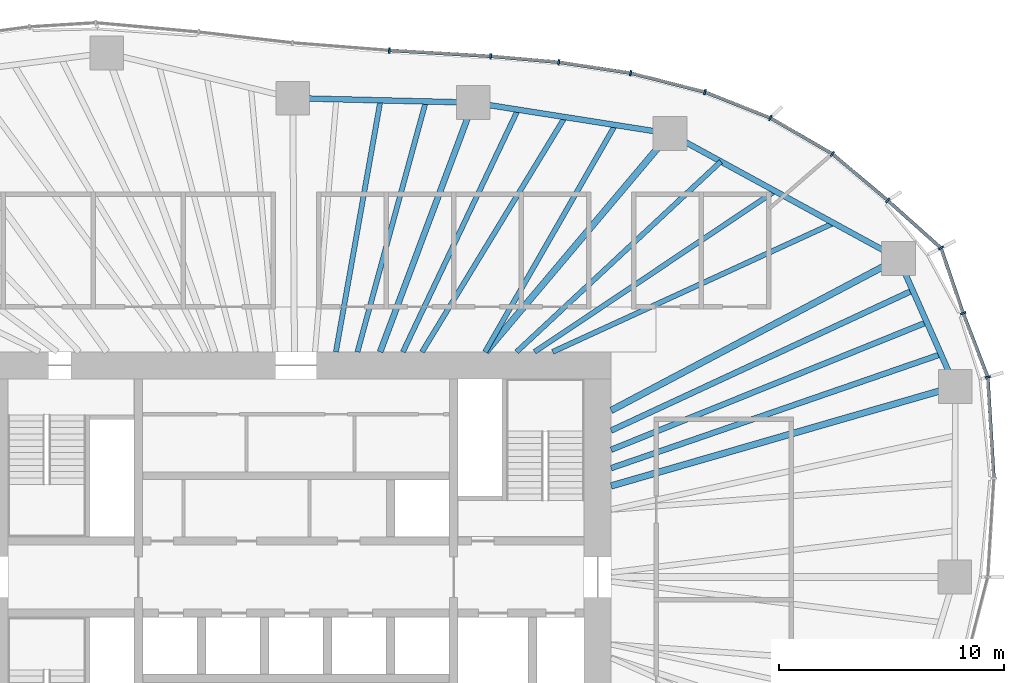
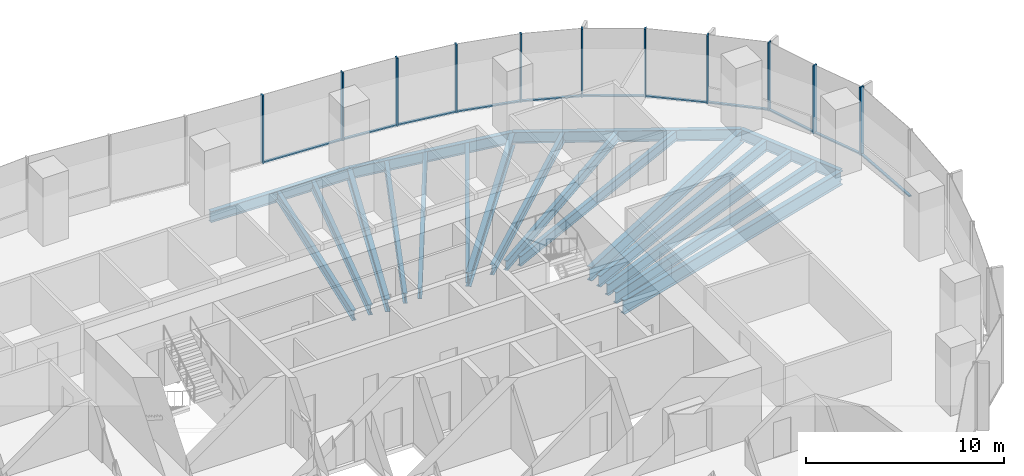
# One storey, part 6 of 18: 22 members, 19 beams, 5 elements without a shape of their own.
"""IFC4 building model written with IfcOpenShell, lengths in metres."""

from ifc_helpers import new_model, si_unit, direction, frame, origin, origin_2d, place, context, subcontext, project, spatial, rectangle, i_section, extrude, material, material_profile, profile_set, type_object, element, aggregate, save


model = new_model("IFC4")

# Units and contexts
model_context = context("Model", 3, precision=1e-05, world=origin(), true_north=direction((0.0, 1.0)))
body_context = subcontext(model_context, "Body", "Model", "MODEL_VIEW")
ifc_project = project(units=[si_unit("LENGTHUNIT", "METRE"), si_unit("AREAUNIT", "SQUARE_METRE"), si_unit("VOLUMEUNIT", "CUBIC_METRE"), si_unit("PLANEANGLEUNIT", "RADIAN"), si_unit("MASSUNIT", "GRAM", prefix="KILO")], contexts=[model_context])

# Site, building, storey
site_placement = place(None, origin())
site = spatial("IfcSite", under=ifc_project, at=site_placement, CompositionType="ELEMENT")
building_placement = place(site_placement, origin())
building = spatial("IfcBuilding", under=site, at=building_placement, Name="Ghaith Harvest Tower", CompositionType="ELEMENT")
storey_placement = place(building_placement, frame((0.0, 0.0, 142.800048828125)))
storey = spatial("IfcBuildingStorey", under=building, at=storey_placement, Name="L30", CompositionType="ELEMENT", Elevation=142.800048828125)

# Curtain wall, members
ifc_material_1 = material(Name="Black anodised aluminium and fritted glass", Category="aluminium")
curtain_wall_type = type_object("IfcCurtainWallType", Name="CW-L CURTAIN WALL", PredefinedType="NOTDEFINED", material=ifc_material_1)
curtain_wall_1_placement = place(storey_placement, origin())
curtain_wall_1 = element("IfcCurtainWall", 1, at=curtain_wall_1_placement, inside=storey, type_object=curtain_wall_type, Name="Curtain wall CW-L bay 02 L30", PredefinedType="NOTDEFINED")
ifc_material_2 = material(Name="Aluminium, black anodised", Category="aluminium")
ifc_material_profile_1 = material_profile(ifc_material_2, rectangle(XDim=0.080078125, YDim=0.239990234375, at=origin_2d()), Name="CW-L MULLION 80x240")
ifc_profile_set_1 = profile_set([ifc_material_profile_1], Name="Aluminium, black anodised")
member_type_1 = type_object("IfcMemberType", Name="CW-L MULLION 80x240", PredefinedType="MULLION", material=ifc_profile_set_1)
member_1_placement = place(storey_placement, frame((30.727294921875, 8.880859375, 0.0), z_axis=(0.0, 0.0, 1.0), x_axis=(-0.183070248196, 0.983099834313, 0.0)))
member_1 = element("IfcMember", 2, at=member_1_placement, type_object=member_type_1, Name="CW-L mullion 1 bay 02 L30", PredefinedType="MULLION", context=body_context, shape_type="SweptSolid", body=[
    extrude(rectangle(XDim=0.080078125, YDim=0.239990234375, at=origin_2d()), origin(), (0.0, 0.0, 1.0), 4.199951171875),
])
member_2_placement = place(storey_placement, frame((29.634521484375, 11.7158203125, 0.0), z_axis=(0.0, 0.0, 1.0), x_axis=(-0.340771198528, 0.940146260033, 0.0)))
member_2 = element("IfcMember", 3, at=member_2_placement, type_object=member_type_1, Name="CW-L mullion 2 bay 02 L30", PredefinedType="MULLION", context=body_context, shape_type="SweptSolid", body=[
    extrude(rectangle(XDim=0.080078125, YDim=0.239990234375, at=origin_2d()), origin(), (0.0, 0.0, 1.0), 4.199951171875),
])
member_3_placement = place(storey_placement, frame((28.64990234375, 14.61181640625, 0.0), z_axis=(0.0, 0.0, 1.0), x_axis=(-0.556324287652, 0.830965274225, 0.0)))
member_3 = element("IfcMember", 4, at=member_3_placement, type_object=member_type_1, Name="CW-L mullion 3 bay 02 L30", PredefinedType="MULLION", context=body_context, shape_type="SweptSolid", body=[
    extrude(rectangle(XDim=0.080078125, YDim=0.239990234375, at=origin_2d()), origin(), (0.0, 0.0, 1.0), 4.199951171875),
])

curtain_wall_2_placement = place(storey_placement, origin())
curtain_wall_2 = element("IfcCurtainWall", 5, at=curtain_wall_2_placement, inside=storey, type_object=curtain_wall_type, Name="Curtain wall CW-L bay 03 L30", PredefinedType="NOTDEFINED")
member_4_placement = place(storey_placement, frame((26.28076171875, 16.725341796875, 0.0), z_axis=(0.0, 0.0, 1.0), x_axis=(-0.755999423268, 0.654572281737, 0.0)))
member_4 = element("IfcMember", 6, at=member_4_placement, type_object=member_type_1, Name="CW-L mullion 1 bay 03 L30", PredefinedType="MULLION", context=body_context, shape_type="SweptSolid", body=[
    extrude(rectangle(XDim=0.080078125, YDim=0.239990234375, at=origin_2d()), origin(), (0.0, 0.0, 1.0), 4.199951171875),
])
member_5_placement = place(storey_placement, frame((23.82177734375, 18.792236328125, 0.0), z_axis=(0.0, 0.0, 1.0), x_axis=(-0.818228862146, 0.574892624018, 0.0)))
member_5 = element("IfcMember", 7, at=member_5_placement, type_object=member_type_1, Name="CW-L mullion 2 bay 03 L30", PredefinedType="MULLION", context=body_context, shape_type="SweptSolid", body=[
    extrude(rectangle(XDim=0.080078125, YDim=0.239990234375, at=origin_2d()), origin(), (0.0, 0.0, 1.0), 4.199951171875),
])
member_6_placement = place(storey_placement, frame((21.066162109375, 20.38916015625, 0.0), z_axis=(0.0, 0.0, 1.0), x_axis=(-0.899713343282, 0.436481270985, 0.0)))
member_6 = element("IfcMember", 8, at=member_6_placement, type_object=member_type_1, Name="CW-L mullion 3 bay 03 L30", PredefinedType="MULLION", context=body_context, shape_type="SweptSolid", body=[
    extrude(rectangle(XDim=0.080078125, YDim=0.239990234375, at=origin_2d()), origin(), (0.0, 0.0, 1.0), 4.199951171875),
])

curtain_wall_3_placement = place(storey_placement, origin())
curtain_wall_3 = element("IfcCurtainWall", 9, at=curtain_wall_3_placement, inside=storey, type_object=curtain_wall_type, Name="Curtain wall CW-L bay 04 L30", PredefinedType="NOTDEFINED")
member_7_placement = place(storey_placement, frame((18.162353515625, 21.537841796875, 0.0), z_axis=(0.0, 0.0, 1.0), x_axis=(-0.952152258113, 0.30562407852, 0.0)))
member_7 = element("IfcMember", 10, at=member_7_placement, type_object=member_type_1, Name="CW-L mullion 1 bay 04 L30", PredefinedType="MULLION", context=body_context, shape_type="SweptSolid", body=[
    extrude(rectangle(XDim=0.080078125, YDim=0.239990234375, at=origin_2d()), origin(), (0.0, 0.0, 1.0), 4.199951171875),
])
member_8_placement = place(storey_placement, frame((14.86474609375, 22.379638671875, 0.0), z_axis=(0.0, 0.0, 1.0), x_axis=(-0.979751952122, 0.200215165041, 0.0)))
member_8 = element("IfcMember", 11, at=member_8_placement, type_object=member_type_1, Name="CW-L mullion 2 bay 04 L30", PredefinedType="MULLION", context=body_context, shape_type="SweptSolid", body=[
    extrude(rectangle(XDim=0.080078125, YDim=0.239990234375, at=origin_2d()), origin(), (0.0, 0.0, 1.0), 4.199951171875),
])
member_9_placement = place(storey_placement, frame((11.672607421875, 22.864013671875, 0.0), z_axis=(0.0, 0.0, 1.0), x_axis=(-0.992800497873, 0.119779678673, 0.0)))
member_9 = element("IfcMember", 12, at=member_9_placement, type_object=member_type_1, Name="CW-L mullion 3 bay 04 L30", PredefinedType="MULLION", context=body_context, shape_type="SweptSolid", body=[
    extrude(rectangle(XDim=0.080078125, YDim=0.239990234375, at=origin_2d()), origin(), (0.0, 0.0, 1.0), 4.199951171875),
])

curtain_wall_4_placement = place(storey_placement, origin())
curtain_wall_4 = element("IfcCurtainWall", 13, at=curtain_wall_4_placement, inside=storey, type_object=curtain_wall_type, Name="Curtain wall CW-L bay 05 L30", PredefinedType="NOTDEFINED")
member_10_placement = place(storey_placement, frame((8.646728515625, 23.1298828125, 0.0), z_axis=(0.0, 0.0, 1.0), x_axis=(-0.997558767319, 0.069831982257, 0.0)))
member_10 = element("IfcMember", 14, at=member_10_placement, type_object=member_type_1, Name="CW-L mullion 1 bay 05 L30", PredefinedType="MULLION", context=body_context, shape_type="SweptSolid", body=[
    extrude(rectangle(XDim=0.080078125, YDim=0.239990234375, at=origin_2d()), origin(), (0.0, 0.0, 1.0), 4.199951171875),
])
member_11_placement = place(storey_placement, frame((4.146728515625, 23.390869140625, 0.0), z_axis=(0.0, 0.0, 1.0), x_axis=(-0.997689895047, 0.067932858925, 0.0)))
member_11 = element("IfcMember", 15, at=member_11_placement, type_object=member_type_1, Name="CW-L mullion 2 bay 05 L30", PredefinedType="MULLION", context=body_context, shape_type="SweptSolid", body=[
    extrude(rectangle(XDim=0.080078125, YDim=0.239990234375, at=origin_2d()), origin(), (0.0, 0.0, 1.0), 4.199951171875),
])

# Curtain wall, member
curtain_wall_5_placement = place(storey_placement, origin())
curtain_wall_5 = element("IfcCurtainWall", 16, at=curtain_wall_5_placement, inside=storey, type_object=curtain_wall_type, Name="Curtain wall CW-L bay 01 L30", PredefinedType="NOTDEFINED")
ifc_material_3 = material(Name="Aluminium, black anodised", Category="aluminium")
ifc_material_profile_2 = material_profile(ifc_material_3, rectangle(XDim=0.14990234375, YDim=0.080078125, at=origin_2d()), Name="CW-L TRANSOM 150x80")
ifc_profile_set_2 = profile_set([ifc_material_profile_2], Name="Aluminium, black anodised")
member_type_2 = type_object("IfcMemberType", Name="CW-L TRANSOM 150x80", PredefinedType="USERDEFINED", material=ifc_profile_set_2)
member_12_placement = place(storey_placement, frame((30.996337890625, 4.4296875, 0.0400390625), z_axis=(-0.060328261132, 0.99817859169, 0.0), x_axis=(-0.99817859169, -0.060328261132, 0.0)))
member_12 = element("IfcMember", 17, at=member_12_placement, type_object=member_type_2, Name="CW-L transom 2 bay 01 L30", ObjectType="TRANSOM", PredefinedType="USERDEFINED", context=body_context, shape_type="SweptSolid", body=[
    extrude(rectangle(XDim=0.14990234375, YDim=0.080078125, at=origin_2d()), origin(), (0.0, 0.0, 1.0), 4.419189453125),
])
aggregate(curtain_wall_5, [member_12])

# Member
member_13_placement = place(storey_placement, frame((30.712890625, 8.918212890625, 0.0400390625), z_axis=(-0.359637050526, 0.933092274048, 0.0), x_axis=(-0.933092274048, -0.359637050526, 0.0)))
member_13 = element("IfcMember", 18, at=member_13_placement, type_object=member_type_2, Name="CW-L transom 1 bay 02 L30", ObjectType="TRANSOM", PredefinedType="USERDEFINED", context=body_context, shape_type="SweptSolid", body=[
    extrude(rectangle(XDim=0.14990234375, YDim=0.080078125, at=origin_2d()), origin(), (0.0, 0.0, 1.0), 2.95849609375),
])

member_14_placement = place(storey_placement, frame((29.62158203125, 11.75390625, 0.0400390625), z_axis=(-0.321877752664, 0.946781237847, 0.0), x_axis=(-0.946781237847, -0.321877752664, 0.0)))
member_14 = element("IfcMember", 19, at=member_14_placement, type_object=member_type_2, Name="CW-L transom 2 bay 02 L30", ObjectType="TRANSOM", PredefinedType="USERDEFINED", context=body_context, shape_type="SweptSolid", body=[
    extrude(rectangle(XDim=0.14990234375, YDim=0.080078125, at=origin_2d()), origin(), (0.0, 0.0, 1.0), 2.978515625),
])

member_15_placement = place(storey_placement, frame((28.6201171875, 14.638427734375, 0.0400390625), z_axis=(-0.74622871112, 0.665689650438, 0.0), x_axis=(-0.665689650438, -0.74622871112, 0.0)))
member_15 = element("IfcMember", 20, at=member_15_placement, type_object=member_type_2, Name="CW-L transom 3 bay 02 L30", ObjectType="TRANSOM", PredefinedType="USERDEFINED", context=body_context, shape_type="SweptSolid", body=[
    extrude(rectangle(XDim=0.14990234375, YDim=0.080078125, at=origin_2d()), origin(), (0.0, 0.0, 1.0), 3.094970703125),
])

aggregate(curtain_wall_1, [member_1, member_13, member_2, member_14, member_3, member_15])

member_16_placement = place(storey_placement, frame((26.25, 16.7509765625, 0.0400390625), z_axis=(-0.765428400685, 0.643521066808, 0.0), x_axis=(-0.643521066808, -0.765428400685, 0.0)))
member_16 = element("IfcMember", 21, at=member_16_placement, type_object=member_type_2, Name="CW-L transom 1 bay 03 L30", ObjectType="TRANSOM", PredefinedType="USERDEFINED", context=body_context, shape_type="SweptSolid", body=[
    extrude(rectangle(XDim=0.14990234375, YDim=0.080078125, at=origin_2d()), origin(), (0.0, 0.0, 1.0), 3.132080078125),
])

member_17_placement = place(storey_placement, frame((23.787353515625, 18.812255859375, 0.0400390625), z_axis=(-0.865212673937, 0.50140505468, 0.0), x_axis=(-0.50140505468, -0.865212673937, 0.0)))
member_17 = element("IfcMember", 22, at=member_17_placement, type_object=member_type_2, Name="CW-L transom 2 bay 03 L30", ObjectType="TRANSOM", PredefinedType="USERDEFINED", context=body_context, shape_type="SweptSolid", body=[
    extrude(rectangle(XDim=0.14990234375, YDim=0.080078125, at=origin_2d()), origin(), (0.0, 0.0, 1.0), 3.10498046875),
])

member_18_placement = place(storey_placement, frame((21.029052734375, 20.40380859375, 0.0400390625), z_axis=(-0.929880954826, 0.367860584804, 0.0), x_axis=(-0.367860584804, -0.929880954826, 0.0)))
member_18 = element("IfcMember", 23, at=member_18_placement, type_object=member_type_2, Name="CW-L transom 3 bay 03 L30", ObjectType="TRANSOM", PredefinedType="USERDEFINED", context=body_context, shape_type="SweptSolid", body=[
    extrude(rectangle(XDim=0.14990234375, YDim=0.080078125, at=origin_2d()), origin(), (0.0, 0.0, 1.0), 3.04296875),
])

aggregate(curtain_wall_2, [member_4, member_16, member_5, member_17, member_6, member_18])

member_19_placement = place(storey_placement, frame((18.12353515625, 21.5478515625, 0.0400390625), z_axis=(-0.968942433805, 0.247286392614, 0.0), x_axis=(-0.247286392614, -0.968942433805, 0.0)))
member_19 = element("IfcMember", 24, at=member_19_placement, type_object=member_type_2, Name="CW-L transom 1 bay 04 L30", ObjectType="TRANSOM", PredefinedType="USERDEFINED", context=body_context, shape_type="SweptSolid", body=[
    extrude(rectangle(XDim=0.14990234375, YDim=0.080078125, at=origin_2d()), origin(), (0.0, 0.0, 1.0), 3.3232421875),
])

member_20_placement = place(storey_placement, frame((14.8251953125, 22.3857421875, 0.0400390625), z_axis=(-0.988680676153, 0.150035064572, 0.0), x_axis=(-0.150035064572, -0.988680676153, 0.0)))
member_20 = element("IfcMember", 25, at=member_20_placement, type_object=member_type_2, Name="CW-L transom 2 bay 04 L30", ObjectType="TRANSOM", PredefinedType="USERDEFINED", context=body_context, shape_type="SweptSolid", body=[
    extrude(rectangle(XDim=0.14990234375, YDim=0.080078125, at=origin_2d()), origin(), (0.0, 0.0, 1.0), 3.148681640625),
])

member_21_placement = place(storey_placement, frame((11.632568359375, 22.86767578125, 0.0400390625), z_axis=(-0.996171193061, 0.087423990507, 0.0), x_axis=(-0.087423990507, -0.996171193061, 0.0)))
member_21 = element("IfcMember", 26, at=member_21_placement, type_object=member_type_2, Name="CW-L transom 3 bay 04 L30", ObjectType="TRANSOM", PredefinedType="USERDEFINED", context=body_context, shape_type="SweptSolid", body=[
    extrude(rectangle(XDim=0.14990234375, YDim=0.080078125, at=origin_2d()), origin(), (0.0, 0.0, 1.0), 2.957275390625),
])

aggregate(curtain_wall_3, [member_7, member_19, member_8, member_20, member_9, member_21])

member_22_placement = place(storey_placement, frame((8.60693359375, 23.132080078125, 0.0400390625), z_axis=(-0.998319515187, 0.057949509028, 0.0), x_axis=(-0.057949509028, -0.998319515187, 0.0)))
member_22 = element("IfcMember", 27, at=member_22_placement, type_object=member_type_2, Name="CW-L transom 1 bay 05 L30", ObjectType="TRANSOM", PredefinedType="USERDEFINED", context=body_context, shape_type="SweptSolid", body=[
    extrude(rectangle(XDim=0.14990234375, YDim=0.080078125, at=origin_2d()), origin(), (0.0, 0.0, 1.0), 4.427734375),
])

aggregate(curtain_wall_4, [member_10, member_22, member_11])

# Beams
ifc_material_4 = material(Name="Steel ASTM A992 Grade 50", Category="steel")
ifc_material_profile_3 = material_profile(ifc_material_4, i_section(OverallWidth=0.25390625, OverallDepth=0.68408203125, WebThickness=0.012451171875, FlangeThickness=0.018798828125, at=origin_2d()), Name="W690X140")
ifc_profile_set_3 = profile_set([ifc_material_profile_3], Name="Steel ASTM A992 Grade 50")
beam_type_1 = type_object("IfcBeamType", Name="E690-140 W690X140", PredefinedType="SPANDREL", material=ifc_profile_set_3)
beam_1_placement = place(storey_placement, frame((29.285888671875, 8.464111328125, -0.511962890625), z_axis=(-0.405635615749, 0.914034872002, 0.0), x_axis=(-0.914034872002, -0.405635615749, 0.0)))
element("IfcBeam", 28, at=beam_1_placement, inside=storey, type_object=beam_type_1, Name="Edge beam E02 L30", PredefinedType="SPANDREL", context=body_context, shape_type="SweptSolid", body=[
    extrude(i_section(OverallWidth=0.25390625, OverallDepth=0.68408203125, WebThickness=0.012451171875, FlangeThickness=0.018798828125, at=origin_2d()), origin(), (0.0, 0.0, 1.0), 6.21728515625),
])
beam_2_placement = place(storey_placement, frame((26.763916015625, 14.14697265625, -0.511962890625), z_axis=(-0.877588218279, 0.479415184509, 0.0), x_axis=(-0.479415184509, -0.877588218279, 0.0)))
element("IfcBeam", 29, at=beam_2_placement, inside=storey, type_object=beam_type_1, Name="Edge beam E03 L30", PredefinedType="SPANDREL", context=body_context, shape_type="SweptSolid", body=[
    extrude(i_section(OverallWidth=0.25390625, OverallDepth=0.68408203125, WebThickness=0.012451171875, FlangeThickness=0.018798828125, at=origin_2d()), origin(), (0.0, 0.0, 1.0), 11.57275390625),
])
beam_3_placement = place(storey_placement, frame((16.60791015625, 19.695068359375, -0.511962890625), z_axis=(-0.987788485872, 0.155800857439, 0.0), x_axis=(-0.155800857439, -0.987788485872, 0.0)))
element("IfcBeam", 30, at=beam_3_placement, inside=storey, type_object=beam_type_1, Name="Edge beam E04 L30", PredefinedType="SPANDREL", context=body_context, shape_type="SweptSolid", body=[
    extrude(i_section(OverallWidth=0.25390625, OverallDepth=0.68408203125, WebThickness=0.012451171875, FlangeThickness=0.018798828125, at=origin_2d()), origin(), (0.0, 0.0, 1.0), 8.837890625),
])
beam_4_placement = place(storey_placement, frame((7.8779296875, 21.072021484375, -0.511962890625), z_axis=(-0.999692679676, 0.024790042413, 0.0), x_axis=(-0.024790042413, -0.999692679676, 0.0)))
element("IfcBeam", 31, at=beam_4_placement, inside=storey, type_object=beam_type_1, Name="Edge beam E05 L30", PredefinedType="SPANDREL", context=body_context, shape_type="SweptSolid", body=[
    extrude(i_section(OverallWidth=0.25390625, OverallDepth=0.68408203125, WebThickness=0.012451171875, FlangeThickness=0.018798828125, at=origin_2d()), origin(), (0.0, 0.0, 1.0), 8.0263671875),
])
ifc_material_5 = material(Name="Steel ASTM A992 Grade 50", Category="steel")
ifc_material_profile_4 = material_profile(ifc_material_5, i_section(OverallWidth=0.26806640625, OverallDepth=0.77001953125, WebThickness=0.015625, FlangeThickness=0.025390625, at=origin_2d()), Name="W760X196")
ifc_profile_set_4 = profile_set([ifc_material_profile_4], Name="Steel ASTM A992 Grade 50")
beam_type_2 = type_object("IfcBeamType", Name="G760-196 W760X196", PredefinedType="BEAM", material=ifc_profile_set_4)
beam_5_placement = place(storey_placement, frame((3.73828125, 10.0, -0.554931640625), z_axis=(0.350206582147, 0.936672488024, 0.0), x_axis=(-0.936672488024, 0.350206582147, 0.0)))
element("IfcBeam", 32, at=beam_5_placement, inside=storey, type_object=beam_type_2, Name="Radial girder G05 L30", PredefinedType="BEAM", context=body_context, shape_type="SweptSolid", body=[
    extrude(i_section(OverallWidth=0.26806640625, OverallDepth=0.77001953125, WebThickness=0.015625, FlangeThickness=0.025390625, at=origin_2d()), origin(), (0.0, 0.0, 1.0), 11.820556640625),
])
ifc_material_6 = material(Name="Steel ASTM A992 Grade 50", Category="steel")
ifc_material_profile_5 = material_profile(ifc_material_6, i_section(OverallWidth=0.2939453125, OverallDepth=0.85107421875, WebThickness=0.01611328125, FlangeThickness=0.02685546875, at=origin_2d()), Name="W840X226")
ifc_profile_set_5 = profile_set([ifc_material_profile_5], Name="Steel ASTM A992 Grade 50")
beam_type_3 = type_object("IfcBeamType", Name="G840-226 W840X226", PredefinedType="BEAM", material=ifc_profile_set_5)
beam_6_placement = place(storey_placement, frame((14.0, 4.04638671875, -0.595458984375), z_axis=(0.960683993303, 0.27764413376, 0.0), x_axis=(-0.27764413376, 0.960683993303, 0.0)))
element("IfcBeam", 33, at=beam_6_placement, inside=storey, type_object=beam_type_3, Name="Radial girder G02 L30", PredefinedType="BEAM", context=body_context, shape_type="SweptSolid", body=[
    extrude(i_section(OverallWidth=0.2939453125, OverallDepth=0.85107421875, WebThickness=0.01611328125, FlangeThickness=0.02685546875, at=origin_2d()), origin(), (0.0, 0.0, 1.0), 15.911376953125),
])
beam_7_placement = place(storey_placement, frame((14.0, 7.39990234375, -0.595458984375), z_axis=(0.884082663971, 0.467330550324, 0.0), x_axis=(-0.467330550324, 0.884082663971, 0.0)))
element("IfcBeam", 34, at=beam_7_placement, inside=storey, type_object=beam_type_3, Name="Radial girder G03 L30", PredefinedType="BEAM", context=body_context, shape_type="SweptSolid", body=[
    extrude(i_section(OverallWidth=0.2939453125, OverallDepth=0.85107421875, WebThickness=0.01611328125, FlangeThickness=0.02685546875, at=origin_2d()), origin(), (0.0, 0.0, 1.0), 14.4375),
])
beam_8_placement = place(storey_placement, frame((8.4326171875, 10.0, -0.595458984375), z_axis=(0.644644245772, 0.764482698557, 0.0), x_axis=(-0.764482698557, 0.644644245772, 0.0)))
element("IfcBeam", 35, at=beam_8_placement, inside=storey, type_object=beam_type_3, Name="Radial girder G04 L30", PredefinedType="BEAM", context=body_context, shape_type="SweptSolid", body=[
    extrude(i_section(OverallWidth=0.2939453125, OverallDepth=0.85107421875, WebThickness=0.01611328125, FlangeThickness=0.02685546875, at=origin_2d()), origin(), (0.0, 0.0, 1.0), 12.681884765625),
])
ifc_material_7 = material(Name="Steel ASTM A992 Grade 50", Category="steel")
ifc_material_profile_6 = material_profile(ifc_material_7, i_section(OverallWidth=0.22900390625, OverallDepth=0.612060546875, WebThickness=0.011962890625, FlangeThickness=0.01953125, at=origin_2d()), Name="W610X125")
ifc_profile_set_6 = profile_set([ifc_material_profile_6], Name="Steel ASTM A992 Grade 50")
beam_type_4 = type_object("IfcBeamType", Name="J610-125 W610X125", PredefinedType="JOIST", material=ifc_profile_set_6)
beam_9_placement = place(storey_placement, frame((11.39990234375, 10.0, -0.47607421875), z_axis=(0.909014022454, 0.416765529983, 0.0), x_axis=(-0.416765529983, 0.909014022454, 0.0)))
element("IfcBeam", 36, at=beam_9_placement, inside=storey, type_object=beam_type_4, Name="Joist J03.1 L30", PredefinedType="JOIST", context=body_context, shape_type="SweptSolid", body=[
    extrude(i_section(OverallWidth=0.22900390625, OverallDepth=0.612060546875, WebThickness=0.011962890625, FlangeThickness=0.01953125, at=origin_2d()), origin(), (0.0, 0.0, 1.0), 13.72998046875),
])
beam_10_placement = place(storey_placement, frame((10.60009765625, 10.0, -0.47607421875), z_axis=(0.831116486766, 0.556098359489, 0.0), x_axis=(-0.556098359489, 0.831116486766, 0.0)))
element("IfcBeam", 37, at=beam_10_placement, inside=storey, type_object=beam_type_4, Name="Joist J03.2 L30", PredefinedType="JOIST", context=body_context, shape_type="SweptSolid", body=[
    extrude(i_section(OverallWidth=0.22900390625, OverallDepth=0.612060546875, WebThickness=0.011962890625, FlangeThickness=0.01953125, at=origin_2d()), origin(), (0.0, 0.0, 1.0), 12.84716796875),
])
beam_11_placement = place(storey_placement, frame((9.800048828125, 10.0, -0.47607421875), z_axis=(0.731538123562, 0.681800538116, 0.0), x_axis=(-0.681800538116, 0.731538123562, 0.0)))
element("IfcBeam", 38, at=beam_11_placement, inside=storey, type_object=beam_type_4, Name="Joist J03.3 L30", PredefinedType="JOIST", context=body_context, shape_type="SweptSolid", body=[
    extrude(i_section(OverallWidth=0.22900390625, OverallDepth=0.612060546875, WebThickness=0.011962890625, FlangeThickness=0.01953125, at=origin_2d()), origin(), (0.0, 0.0, 1.0), 12.404052734375),
])
beam_12_placement = place(storey_placement, frame((8.39990234375, 10.0, -0.47607421875), z_axis=(0.497444212127, 0.867495968764, 0.0), x_axis=(-0.867495968764, 0.497444212127, 0.0)))
element("IfcBeam", 39, at=beam_12_placement, inside=storey, type_object=beam_type_4, Name="Joist J04.1 L30", PredefinedType="JOIST", context=body_context, shape_type="SweptSolid", body=[
    extrude(i_section(OverallWidth=0.22900390625, OverallDepth=0.612060546875, WebThickness=0.011962890625, FlangeThickness=0.01953125, at=origin_2d()), origin(), (0.0, 0.0, 1.0), 11.617431640625),
])
beam_13_placement = place(storey_placement, frame((5.60009765625, 10.0, -0.47607421875), z_axis=(0.519863845761, 0.854249133374, 0.0), x_axis=(-0.854249133374, 0.519863845761, 0.0)))
element("IfcBeam", 40, at=beam_13_placement, inside=storey, type_object=beam_type_4, Name="Joist J04.2 L30", PredefinedType="JOIST", context=body_context, shape_type="SweptSolid", body=[
    extrude(i_section(OverallWidth=0.22900390625, OverallDepth=0.612060546875, WebThickness=0.011962890625, FlangeThickness=0.01953125, at=origin_2d()), origin(), (0.0, 0.0, 1.0), 12.209716796875),
])
beam_14_placement = place(storey_placement, frame((4.75, 10.0, -0.47607421875), z_axis=(0.429069356877, 0.903271546651, 0.0), x_axis=(-0.903271546651, 0.429069356877, 0.0)))
element("IfcBeam", 41, at=beam_14_placement, inside=storey, type_object=beam_type_4, Name="Joist J04.3 L30", PredefinedType="JOIST", context=body_context, shape_type="SweptSolid", body=[
    extrude(i_section(OverallWidth=0.22900390625, OverallDepth=0.612060546875, WebThickness=0.011962890625, FlangeThickness=0.01953125, at=origin_2d()), origin(), (0.0, 0.0, 1.0), 11.911376953125),
])
beam_15_placement = place(storey_placement, frame((2.73095703125, 10.0, -0.47607421875), z_axis=(0.263455967932, 0.964671422279, 0.0), x_axis=(-0.964671422279, 0.263455967932, 0.0)))
element("IfcBeam", 42, at=beam_15_placement, inside=storey, type_object=beam_type_4, Name="Joist J05.1 L30", PredefinedType="JOIST", context=body_context, shape_type="SweptSolid", body=[
    extrude(i_section(OverallWidth=0.22900390625, OverallDepth=0.612060546875, WebThickness=0.011962890625, FlangeThickness=0.01953125, at=origin_2d()), origin(), (0.0, 0.0, 1.0), 11.53173828125),
])
beam_16_placement = place(storey_placement, frame((1.772705078125, 10.0, -0.47607421875), z_axis=(0.17455599258, 0.984647249249, 0.0), x_axis=(-0.984647249249, 0.17455599258, 0.0)))
element("IfcBeam", 43, at=beam_16_placement, inside=storey, type_object=beam_type_4, Name="Joist J05.2 L30", PredefinedType="JOIST", context=body_context, shape_type="SweptSolid", body=[
    extrude(i_section(OverallWidth=0.22900390625, OverallDepth=0.612060546875, WebThickness=0.011962890625, FlangeThickness=0.01953125, at=origin_2d()), origin(), (0.0, 0.0, 1.0), 11.3486328125),
])
ifc_material_8 = material(Name="Steel ASTM A992 Grade 50", Category="steel")
ifc_material_profile_7 = material_profile(ifc_material_8, i_section(OverallWidth=0.25390625, OverallDepth=0.68408203125, WebThickness=0.012451171875, FlangeThickness=0.018798828125, at=origin_2d()), Name="W690X140")
ifc_profile_set_7 = profile_set([ifc_material_profile_7], Name="Steel ASTM A992 Grade 50")
beam_type_5 = type_object("IfcBeamType", Name="J690-140 W690X140", PredefinedType="JOIST", material=ifc_profile_set_7)
beam_17_placement = place(storey_placement, frame((14.0, 4.835693359375, -0.511962890625), z_axis=(0.945204964965, 0.32647752481, 0.0), x_axis=(-0.32647752481, 0.945204964965, 0.0)))
element("IfcBeam", 44, at=beam_17_placement, inside=storey, type_object=beam_type_5, Name="Joist J02.1 L30", PredefinedType="JOIST", context=body_context, shape_type="SweptSolid", body=[
    extrude(i_section(OverallWidth=0.25390625, OverallDepth=0.68408203125, WebThickness=0.012451171875, FlangeThickness=0.018798828125, at=origin_2d()), origin(), (0.0, 0.0, 1.0), 15.499755859375),
])
beam_18_placement = place(storey_placement, frame((14.0, 5.653564453125, -0.511962890625), z_axis=(0.927247874511, 0.374448099495, 0.0), x_axis=(-0.374448099495, 0.927247874511, 0.0)))
element("IfcBeam", 45, at=beam_18_placement, inside=storey, type_object=beam_type_5, Name="Joist J02.2 L30", PredefinedType="JOIST", context=body_context, shape_type="SweptSolid", body=[
    extrude(i_section(OverallWidth=0.25390625, OverallDepth=0.68408203125, WebThickness=0.012451171875, FlangeThickness=0.018798828125, at=origin_2d()), origin(), (0.0, 0.0, 1.0), 15.12060546875),
])
beam_19_placement = place(storey_placement, frame((14.0, 6.506103515625, -0.511962890625), z_axis=(0.906865717917, 0.42141970726, 0.0), x_axis=(-0.42141970726, 0.906865717917, 0.0)))
element("IfcBeam", 46, at=beam_19_placement, inside=storey, type_object=beam_type_5, Name="Joist J02.3 L30", PredefinedType="JOIST", context=body_context, shape_type="SweptSolid", body=[
    extrude(i_section(OverallWidth=0.25390625, OverallDepth=0.68408203125, WebThickness=0.012451171875, FlangeThickness=0.018798828125, at=origin_2d()), origin(), (0.0, 0.0, 1.0), 14.768310546875),
])

save(model, "model.ifc")
